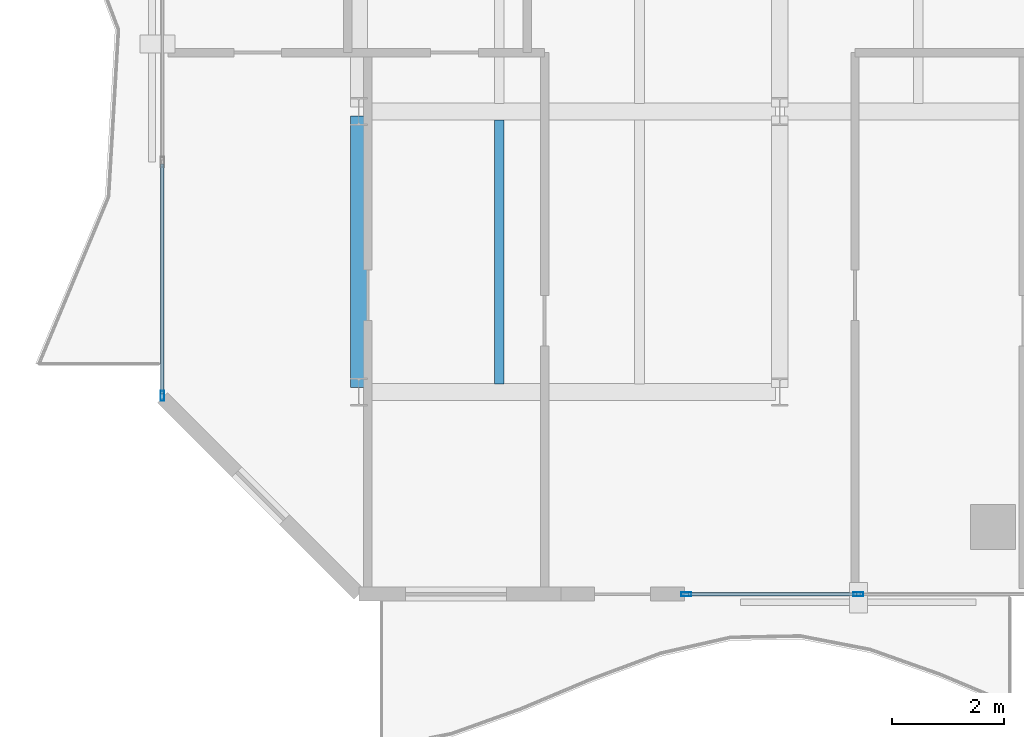
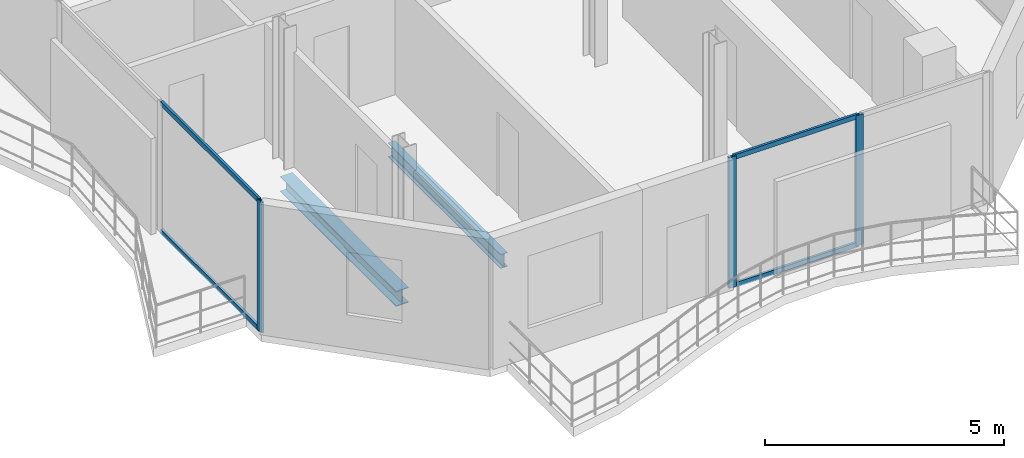
# One storey, part 3 of 24: 7 members, 2 beams, 2 elements without a shape of their own.
"""IFC4 building model written with IfcOpenShell, lengths in metres."""

from ifc_helpers import new_model, si_unit, direction, frame, origin, origin_2d, place, context, subcontext, project, spatial, hollow_rectangle, i_section, extrude, material, layer, layer_set, material_profile, profile_set, type_object, element, aggregate, save


model = new_model("IFC4")

# Units and contexts
model_context = context("Model", 3, precision=1e-05, world=origin(), true_north=direction((0.0, 1.0)))
body_context = subcontext(model_context, "Body", "Model", "MODEL_VIEW")
ifc_project = project(units=[si_unit("LENGTHUNIT", "METRE"), si_unit("AREAUNIT", "SQUARE_METRE"), si_unit("VOLUMEUNIT", "CUBIC_METRE"), si_unit("PLANEANGLEUNIT", "RADIAN"), si_unit("MASSUNIT", "GRAM", prefix="KILO")], contexts=[model_context])

# Site, building, storey
site_placement = place(None, origin())
site = spatial("IfcSite", under=ifc_project, at=site_placement, CompositionType="ELEMENT")
building_placement = place(site_placement, origin())
building = spatial("IfcBuilding", under=site, at=building_placement, Name="Catumbela Crestline Tower", CompositionType="ELEMENT")
storey_placement = place(building_placement, frame((0.0, 0.0, 154.2)))
storey = spatial("IfcBuildingStorey", under=building, at=storey_placement, Name="L39", CompositionType="ELEMENT", Elevation=154.2)

# Beams
ifc_material_1 = material(Name="Structural steel S355J2", Category="steel")
ifc_material_profile_1 = material_profile(ifc_material_1, i_section(OverallWidth=0.3, OverallDepth=0.39, WebThickness=0.011, FlangeThickness=0.019, FilletRadius=0.027, at=origin_2d()), Name="HEA 400")
ifc_profile_set_1 = profile_set([ifc_material_profile_1], Name="Structural steel S355J2")
beam_type_1 = type_object("IfcBeamType", Name="BG-HEA400", PredefinedType="BEAM", material=ifc_profile_set_1)
beam_1_placement = place(storey_placement, frame((8.5, 8.68, -0.455), z_axis=(0.0, 1.0, 0.0), x_axis=(-1.0, 0.0, 0.0)))
element("IfcBeam", 1, at=beam_1_placement, inside=storey, type_object=beam_type_1, Name="L39 Beam BM-L39-WNS37", PredefinedType="BEAM", context=body_context, shape_type="SweptSolid", body=[
    extrude(i_section(OverallWidth=0.3, OverallDepth=0.39, WebThickness=0.011, FlangeThickness=0.019, FilletRadius=0.027, at=origin_2d()), origin(), (0.0, 0.0, 1.0), 4.84),
])
ifc_material_profile_2 = material_profile(ifc_material_1, i_section(OverallWidth=0.17, OverallDepth=0.36, WebThickness=0.008, FlangeThickness=0.0127, FilletRadius=0.018, at=origin_2d()), Name="IPE 360")
ifc_profile_set_2 = profile_set([ifc_material_profile_2], Name="Structural steel S355J2")
beam_type_2 = type_object("IfcBeamType", Name="BJ-IPE360", PredefinedType="JOIST", material=ifc_profile_set_2)
beam_2_placement = place(storey_placement, frame((11.0, 8.747, -0.44), z_axis=(0.0, 1.0, 0.0), x_axis=(-1.0, 0.0, 0.0)))
element("IfcBeam", 2, at=beam_2_placement, inside=storey, type_object=beam_type_2, Name="L39 Joist JS-L39-WG44", PredefinedType="JOIST", context=body_context, shape_type="SweptSolid", body=[
    extrude(i_section(OverallWidth=0.17, OverallDepth=0.36, WebThickness=0.008, FlangeThickness=0.0127, FilletRadius=0.018, at=origin_2d()), origin(), (0.0, 0.0, 1.0), 4.706),
])

# Curtain wall, members
ifc_material_2 = material(Name="Aluminium alloy AW-6060-T66", Category="aluminium")
ifc_layer = layer(ifc_material_2, 0.18, Name="Aluminium alloy AW-6060-T66")
ifc_layer_set = layer_set([ifc_layer], Name="Aluminium alloy AW-6060-T66")
curtain_wall_type = type_object("IfcCurtainWallType", Name="CWU-Z3", PredefinedType="USERDEFINED", material=ifc_layer_set)
curtain_wall_1_placement = place(storey_placement, origin())
curtain_wall_1 = element("IfcCurtainWall", 3, at=curtain_wall_1_placement, inside=storey, type_object=curtain_wall_type, Name="L39 Unitised Curtain Wall CW-L39-E0S2", ObjectType="UNITISED", PredefinedType="USERDEFINED")
ifc_material_profile_3 = material_profile(ifc_material_2, hollow_rectangle(XDim=0.065, YDim=0.18, WallThickness=0.004, at=origin_2d()), Name="ALU 180x65x4")
ifc_profile_set_3 = profile_set([ifc_material_profile_3], Name="Aluminium alloy AW-6060-T66")
member_type_1 = type_object("IfcMemberType", Name="MUL-180X65", PredefinedType="MULLION", material=ifc_profile_set_3)
member_1_placement = place(storey_placement, frame((14.3325, 5.0, 0.0), z_axis=(0.0, 0.0, 1.0), x_axis=(0.0, 1.0, 0.0)))
member_1 = element("IfcMember", 4, at=member_1_placement, type_object=member_type_1, Name="CWU-Z3 mullion 1", PredefinedType="MULLION", context=body_context, shape_type="SweptSolid", body=[
    extrude(hollow_rectangle(XDim=0.065, YDim=0.18, WallThickness=0.004, at=origin_2d()), origin(), (0.0, 0.0, 1.0), 3.33),
])
member_2_placement = place(storey_placement, frame((17.4, 5.0, 0.0), z_axis=(0.0, 0.0, 1.0), x_axis=(0.0, 1.0, 0.0)))
member_2 = element("IfcMember", 5, at=member_2_placement, type_object=member_type_1, Name="CWU-Z3 mullion 2", PredefinedType="MULLION", context=body_context, shape_type="SweptSolid", body=[
    extrude(hollow_rectangle(XDim=0.065, YDim=0.18, WallThickness=0.004, at=origin_2d()), origin(), (0.0, 0.0, 1.0), 3.33),
])

# Curtain wall, member
curtain_wall_2_placement = place(storey_placement, origin())
curtain_wall_2 = element("IfcCurtainWall", 6, at=curtain_wall_2_placement, inside=storey, type_object=curtain_wall_type, Name="L39 Unitised Curtain Wall CW-L39-E9S2", ObjectType="UNITISED", PredefinedType="USERDEFINED")
member_3_placement = place(storey_placement, frame((5.0, 8.5325, 0.0), z_axis=(0.0, 0.0, 1.0), x_axis=(1.0, 0.0, 0.0)))
member_3 = element("IfcMember", 7, at=member_3_placement, type_object=member_type_1, Name="CWU-Z3 mullion 7", PredefinedType="MULLION", context=body_context, shape_type="SweptSolid", body=[
    extrude(hollow_rectangle(XDim=0.065, YDim=0.18, WallThickness=0.004, at=origin_2d()), origin(), (0.0, 0.0, 1.0), 3.33),
])

# Member
ifc_material_profile_4 = material_profile(ifc_material_2, hollow_rectangle(XDim=0.06, YDim=0.12, WallThickness=0.0035, at=origin_2d()), Name="ALU 120x60x3.5")
ifc_profile_set_4 = profile_set([ifc_material_profile_4], Name="Aluminium alloy AW-6060-T66")
member_type_2 = type_object("IfcMemberType", Name="TRN-120X60", PredefinedType="USERDEFINED", material=ifc_profile_set_4)
member_4_placement = place(storey_placement, frame((14.365, 5.0, 0.03), z_axis=(1.0, 0.0, 0.0), x_axis=(0.0, 1.0, 0.0)))
member_4 = element("IfcMember", 8, at=member_4_placement, type_object=member_type_2, Name="CWU-Z3 transom 1.1", ObjectType="TRANSOM", PredefinedType="USERDEFINED", context=body_context, shape_type="SweptSolid", body=[
    extrude(hollow_rectangle(XDim=0.06, YDim=0.12, WallThickness=0.0035, at=origin_2d()), origin(), (0.0, 0.0, 1.0), 3.0025),
])

member_5_placement = place(storey_placement, frame((14.365, 5.0, 3.3), z_axis=(1.0, 0.0, 0.0), x_axis=(0.0, 1.0, 0.0)))
member_5 = element("IfcMember", 9, at=member_5_placement, type_object=member_type_2, Name="CWU-Z3 transom 1.2", ObjectType="TRANSOM", PredefinedType="USERDEFINED", context=body_context, shape_type="SweptSolid", body=[
    extrude(hollow_rectangle(XDim=0.06, YDim=0.12, WallThickness=0.0035, at=origin_2d()), origin(), (0.0, 0.0, 1.0), 3.0025),
])

aggregate(curtain_wall_1, [member_1, member_2, member_4, member_5])

member_6_placement = place(storey_placement, frame((5.0, 12.6675, 0.03), z_axis=(0.0, -1.0, 0.0), x_axis=(1.0, 0.0, 0.0)))
member_6 = element("IfcMember", 10, at=member_6_placement, type_object=member_type_2, Name="CWU-Z3 transom 6.1", ObjectType="TRANSOM", PredefinedType="USERDEFINED", context=body_context, shape_type="SweptSolid", body=[
    extrude(hollow_rectangle(XDim=0.06, YDim=0.12, WallThickness=0.0035, at=origin_2d()), origin(), (0.0, 0.0, 1.0), 4.1025),
])

member_7_placement = place(storey_placement, frame((5.0, 12.6675, 3.3), z_axis=(0.0, -1.0, 0.0), x_axis=(1.0, 0.0, 0.0)))
member_7 = element("IfcMember", 11, at=member_7_placement, type_object=member_type_2, Name="CWU-Z3 transom 6.2", ObjectType="TRANSOM", PredefinedType="USERDEFINED", context=body_context, shape_type="SweptSolid", body=[
    extrude(hollow_rectangle(XDim=0.06, YDim=0.12, WallThickness=0.0035, at=origin_2d()), origin(), (0.0, 0.0, 1.0), 4.1025),
])

aggregate(curtain_wall_2, [member_3, member_6, member_7])

save(model, "model.ifc")
